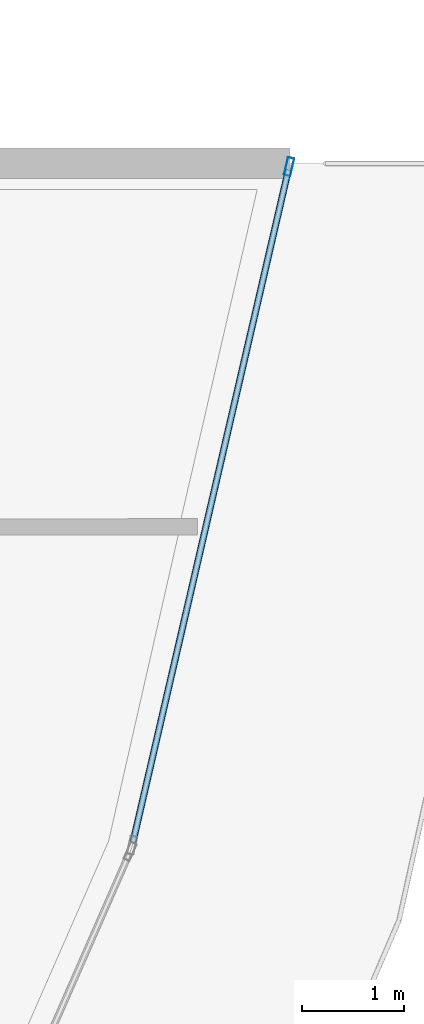
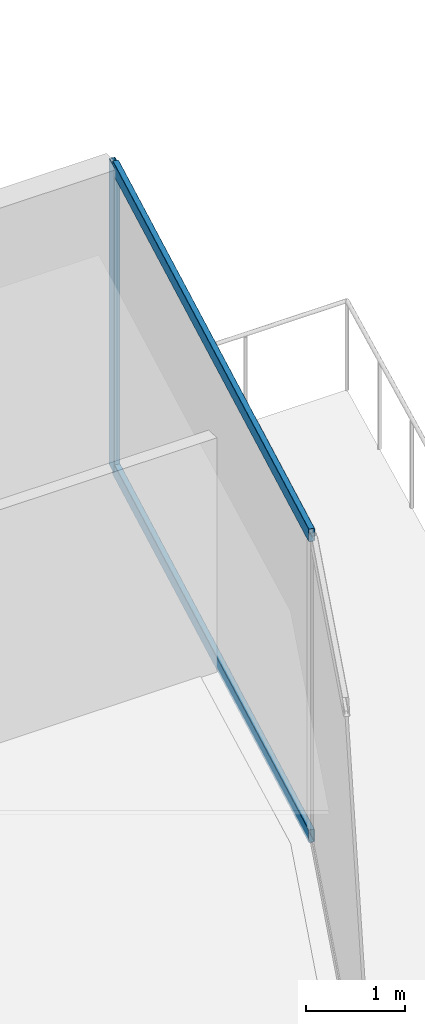
# One storey, part 25 of 45: 3 members, 1 element without a shape of its own.
"""IFC4 building model written with IfcOpenShell, lengths in metres."""

from ifc_helpers import new_model, si_unit, direction, frame, origin, origin_2d, place, context, subcontext, project, spatial, hollow_rectangle, extrude, material, layer, layer_set, material_profile, profile_set, type_object, element, aggregate, save


model = new_model("IFC4")

# Units and contexts
model_context = context("Model", 3, precision=1e-05, world=origin(), true_north=direction((0.0, 1.0)))
body_context = subcontext(model_context, "Body", "Model", "MODEL_VIEW")
ifc_project = project(units=[si_unit("LENGTHUNIT", "METRE"), si_unit("AREAUNIT", "SQUARE_METRE"), si_unit("VOLUMEUNIT", "CUBIC_METRE"), si_unit("PLANEANGLEUNIT", "RADIAN"), si_unit("MASSUNIT", "GRAM", prefix="KILO")], contexts=[model_context])

# Site, building, storey
site_placement = place(None, origin())
site = spatial("IfcSite", under=ifc_project, at=site_placement, CompositionType="ELEMENT")
building_placement = place(site_placement, origin())
building = spatial("IfcBuilding", under=site, at=building_placement, Name="Qorvath Tower", CompositionType="ELEMENT")
storey_placement = place(building_placement, frame((0.0, 0.0, 126.0)))
storey = spatial("IfcBuildingStorey", under=building, at=storey_placement, Name="L28", CompositionType="ELEMENT", Elevation=126.0)

# Curtain wall, members
ifc_material_1 = material(Name="Anodised aluminium and triple low-E glass", Category="aluminium")
ifc_layer = layer(ifc_material_1, 0.179931640625)
ifc_layer_set = layer_set([ifc_layer], Name="CW-SYS-2")
curtain_wall_type = type_object("IfcCurtainWallType", Name="CW-SYS-2", PredefinedType="NOTDEFINED", material=ifc_layer_set)
curtain_wall_placement = place(storey_placement, origin())
curtain_wall = element("IfcCurtainWall", 1, at=curtain_wall_placement, inside=storey, type_object=curtain_wall_type, Name="Curtain Wall CW-2 CW-T-L28-7.1", PredefinedType="NOTDEFINED")
ifc_material_2 = material(Name="Anodised aluminium 6063-T6", Category="aluminium")
ifc_material_profile_1 = material_profile(ifc_material_2, hollow_rectangle(XDim=0.06494140625, YDim=0.179931640625, WallThickness=0.00341796875, InnerFilletRadius=0.00341796875, OuterFilletRadius=0.007080078125, at=origin_2d()), Name="CWM 180x65")
ifc_profile_set_1 = profile_set([ifc_material_profile_1], Name="Anodised aluminium 6063-T6")
member_type_1 = type_object("IfcMemberType", Name="CWM-180", PredefinedType="MULLION", material=ifc_profile_set_1)
member_1_placement = place(storey_placement, frame((4.691650390625, -4.999755859375, 0.0), z_axis=(0.0, 0.0, 1.0), x_axis=(-0.974296356855, 0.225270080166, 0.0)))
member_1 = element("IfcMember", 2, at=member_1_placement, type_object=member_type_1, Name="CW-2 mullion 2", PredefinedType="MULLION", context=body_context, shape_type="SweptSolid", body=[
    extrude(hollow_rectangle(XDim=0.06494140625, YDim=0.179931640625, WallThickness=0.00341796875, InnerFilletRadius=0.00341796875, OuterFilletRadius=0.007080078125, at=origin_2d()), origin(), (0.0, 0.0, 1.0), 3.77001953125),
])
ifc_material_3 = material(Name="Anodised aluminium 6063-T6", Category="aluminium")
ifc_material_profile_2 = material_profile(ifc_material_3, hollow_rectangle(XDim=0.06494140625, YDim=0.159912109375, WallThickness=0.00341796875, InnerFilletRadius=0.00341796875, OuterFilletRadius=0.007080078125, at=origin_2d()), Name="CWT 160x65")
ifc_profile_set_2 = profile_set([ifc_material_profile_2], Name="Anodised aluminium 6063-T6")
member_type_2 = type_object("IfcMemberType", Name="CWT-160", PredefinedType="USERDEFINED", material=ifc_profile_set_2)
member_2_placement = place(storey_placement, frame((3.158935546875, -11.628662109375, 0.032470703125), z_axis=(0.22526763041, 0.974296923268, 0.0), x_axis=(-0.974296923268, 0.22526763041, 0.0)))
member_2 = element("IfcMember", 3, at=member_2_placement, type_object=member_type_2, Name="CW-2 transom 1.1", ObjectType="TRANSOM", PredefinedType="USERDEFINED", context=body_context, shape_type="SweptSolid", body=[
    extrude(hollow_rectangle(XDim=0.06494140625, YDim=0.159912109375, WallThickness=0.00341796875, InnerFilletRadius=0.00341796875, OuterFilletRadius=0.007080078125, at=origin_2d()), origin(), (0.0, 0.0, 1.0), 6.771484375),
])
member_3_placement = place(storey_placement, frame((3.158935546875, -11.628662109375, 3.737548828125), z_axis=(0.22526763041, 0.974296923268, 0.0), x_axis=(-0.974296923268, 0.22526763041, 0.0)))
member_3 = element("IfcMember", 4, at=member_3_placement, type_object=member_type_2, Name="CW-2 transom 1.2", ObjectType="TRANSOM", PredefinedType="USERDEFINED", context=body_context, shape_type="SweptSolid", body=[
    extrude(hollow_rectangle(XDim=0.06494140625, YDim=0.159912109375, WallThickness=0.00341796875, InnerFilletRadius=0.00341796875, OuterFilletRadius=0.007080078125, at=origin_2d()), origin(), (0.0, 0.0, 1.0), 6.771484375),
])
aggregate(curtain_wall, [member_1, member_2, member_3])

save(model, "model.ifc")
